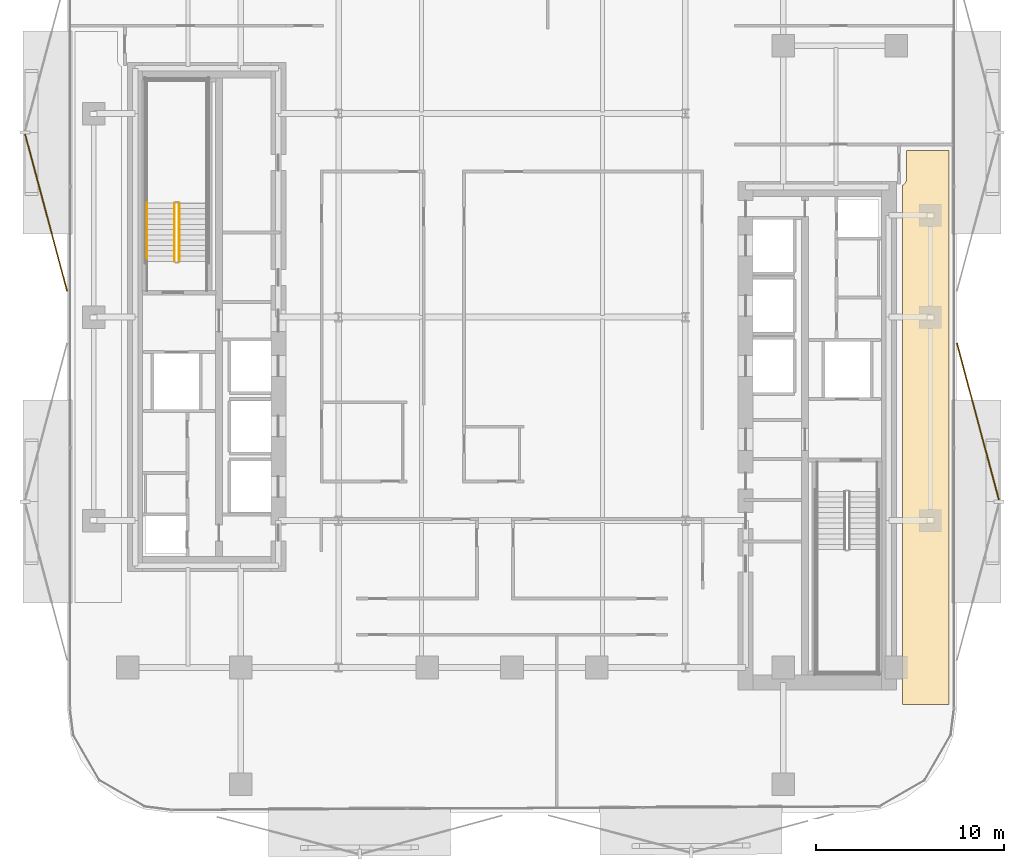
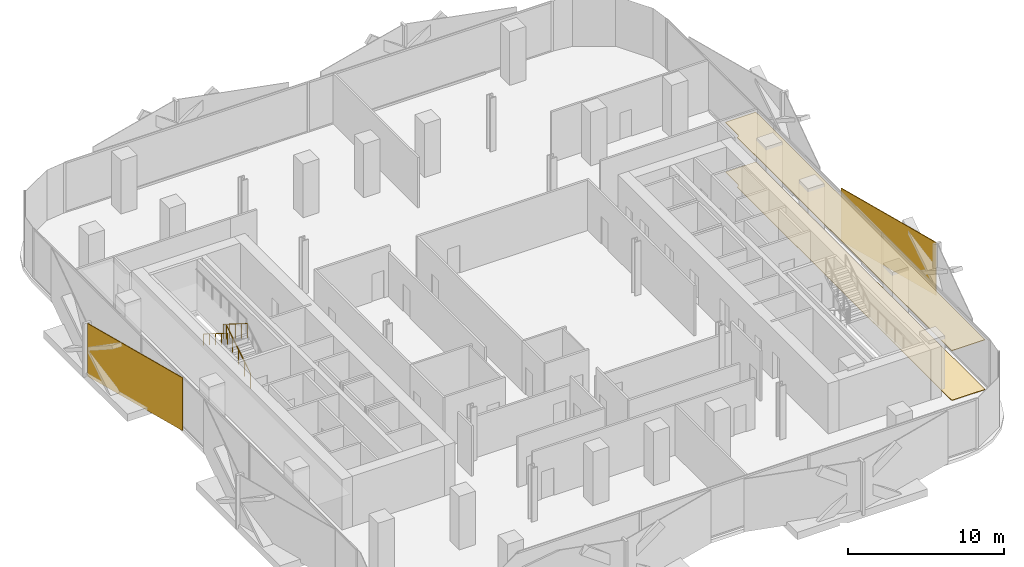
# One storey, part 14 of 16: 4 coverings, 3 railings.
"""IFC4 building model written with IfcOpenShell, lengths in metres."""

from ifc_helpers import new_model, si_unit, direction, frame, origin, origin_2d, place, context, subcontext, project, spatial, polyline, rectangle, circle, outline, extrude, material, layer, layer_set, type_object, element, save


model = new_model("IFC4")

# Units and contexts
model_context = context("Model", 3, precision=1e-05, world=origin(), true_north=direction((0.0, 1.0)))
body_context = subcontext(model_context, "Body", "Model", "MODEL_VIEW")
ifc_project = project(units=[si_unit("LENGTHUNIT", "METRE"), si_unit("AREAUNIT", "SQUARE_METRE"), si_unit("VOLUMEUNIT", "CUBIC_METRE"), si_unit("PLANEANGLEUNIT", "RADIAN"), si_unit("MASSUNIT", "GRAM", prefix="KILO")], contexts=[model_context])

# Site, building, storey
site_placement = place(None, origin())
site = spatial("IfcSite", under=ifc_project, at=site_placement, CompositionType="ELEMENT")
building_placement = place(site_placement, origin())
building = spatial("IfcBuilding", under=site, at=building_placement, Name="Khairoan Windgate Tower", CompositionType="ELEMENT")
storey_placement = place(building_placement, frame((0.0, 0.0, 97.39990234375)))
storey = spatial("IfcBuildingStorey", under=building, at=storey_placement, Name="L22", CompositionType="ELEMENT", Elevation=97.39990234375)

# Coverings
ifc_material_1 = material(Name="Engineered Teak Timber", Category="wood")
ifc_layer_1 = layer(ifc_material_1, 0.0400390625, Name="Engineered Teak Timber")
ifc_layer_set_1 = layer_set([ifc_layer_1], Name="Engineered Teak Timber")
covering_type_1 = type_object("IfcCoveringType", Name="Engineered Teak Residence Flooring", PredefinedType="FLOORING", material=ifc_layer_set_1)
covering_1_placement = place(storey_placement, origin())
element("IfcCovering", 1, at=covering_1_placement, inside=storey, type_object=covering_type_1, Name="L22 L22 East Flank Office Finish Flooring", PredefinedType="FLOORING", context=body_context, shape_type="SweptSolid", body=[
    extrude(outline(polyline([(20.72998046875, 6.996826171875), (20.736083984375, 6.99951171875), (20.7431640625, 7.002685546875), (20.768310546875, 7.01611328125), (20.77490234375, 7.020263671875), (20.79248046875, 7.031982421875), (20.798828125, 7.03662109375), (20.817626953125, 7.052001953125), (20.823486328125, 7.057373046875), (20.8427734375, 7.076416015625), (20.847900390625, 7.082275390625), (20.86328125, 7.101318359375), (20.867919921875, 7.107666015625), (20.879638671875, 7.125), (20.8837890625, 7.1318359375), (20.897216796875, 7.156982421875), (20.900634765625, 7.1640625), (20.90869140625, 7.18359375), (20.91162109375, 7.191162109375), (20.919189453125, 7.21630859375), (20.9208984375, 7.223876953125), (20.926025390625, 7.24951171875), (20.92724609375, 7.25732421875), (20.92919921875, 7.279296875), (20.9296875, 7.287109375), (20.929931640625, 7.300048828125), (20.929931640625, 8.85009765625), (23.18994140625, 8.85009765625), (23.18994140625, -20.550048828125), (20.72998046875, -20.550048828125), (20.72998046875, 6.996826171875)])), origin(), (0.0, 0.0, 1.0), 0.0400390625),
])
ifc_material_2 = material(Name="Acoustic Mineral Fibre Ceiling", Category="gypsum")
ifc_layer_2 = layer(ifc_material_2, 0.0400390625, Name="Acoustic Mineral Fibre Ceiling")
ifc_layer_set_2 = layer_set([ifc_layer_2], Name="Acoustic Mineral Fibre Ceiling")
covering_type_2 = type_object("IfcCoveringType", Name="Flush Acoustic Mineral Ceiling Panel", PredefinedType="CEILING", material=ifc_layer_set_2)
covering_2_placement = place(storey_placement, frame((0.0, 0.0, 3.900146484375)))
element("IfcCovering", 2, at=covering_2_placement, inside=storey, type_object=covering_type_2, Name="L22 L22 East Flank Office Acoustic Ceiling", PredefinedType="CEILING", context=body_context, shape_type="SweptSolid", body=[
    extrude(outline(polyline([(20.72998046875, 6.996826171875), (20.736083984375, 6.99951171875), (20.7431640625, 7.002685546875), (20.768310546875, 7.01611328125), (20.77490234375, 7.020263671875), (20.79248046875, 7.031982421875), (20.798828125, 7.03662109375), (20.817626953125, 7.052001953125), (20.823486328125, 7.057373046875), (20.8427734375, 7.076416015625), (20.847900390625, 7.082275390625), (20.86328125, 7.101318359375), (20.867919921875, 7.107666015625), (20.879638671875, 7.125), (20.8837890625, 7.1318359375), (20.897216796875, 7.156982421875), (20.900634765625, 7.1640625), (20.90869140625, 7.18359375), (20.91162109375, 7.191162109375), (20.919189453125, 7.21630859375), (20.9208984375, 7.223876953125), (20.926025390625, 7.24951171875), (20.92724609375, 7.25732421875), (20.92919921875, 7.279296875), (20.9296875, 7.287109375), (20.929931640625, 7.300048828125), (20.929931640625, 8.85009765625), (23.18994140625, 8.85009765625), (23.18994140625, -20.550048828125), (20.72998046875, -20.550048828125), (20.72998046875, 6.996826171875)])), origin(), (0.0, 0.0, 1.0), 0.0400390625),
])
ifc_material_3 = material(Name="Anodised Bronze Aluminium 6063-T6", Category="aluminium")
ifc_layer_3 = layer(ifc_material_3, 0.054931640625, Name="Anodised Bronze Aluminium 6063-T6")
ifc_layer_set_3 = layer_set([ifc_layer_3], Name="Anodised Bronze Aluminium 6063-T6")
covering_type_3 = type_object("IfcCoveringType", Name="Perforated Bronze-Ceramic Folded Solar Screen Cladding BSC-1", PredefinedType="CLADDING", material=ifc_layer_set_3)
for number, where, z_axis, x_axis, name in (
    (3, (-24.724609375, 5.542236328125, -0.099609375), (0.0, 0.0, 1.0), (-0.258819045103, 0.965925826289, 0.0), "L22 Folded Bronze Solar Screen Facet 124L"),
    (4, (24.724609375, -5.542236328125, -0.099609375), (0.0, 0.0, 1.0), (0.258819045103, -0.965925826289, 0.0), "L22 Folded Bronze Solar Screen Facet 128L"),
):
    element("IfcCovering", number, at=place(storey_placement, frame(where, z_axis=z_axis, x_axis=x_axis)), inside=storey, type_object=covering_type_3, Name=name, PredefinedType="CLADDING", context=body_context, shape_type="SweptSolid", body=[
        extrude(rectangle(XDim=8.6201171875, YDim=0.054931640625, at=origin_2d()), origin(), (0.0, 0.0, 1.0), 4.139892578125),
    ])

# Railings
ifc_material_4 = material(Name="Anodised Bronze Aluminium 6063-T6", Category="aluminium")
railing_type_1 = type_object("IfcRailingType", Name="Stair Wall Handrail SHR-900", PredefinedType="HANDRAIL", material=ifc_material_4)
railing_1_placement = place(storey_placement, frame((-19.3701171875, 6.0400390625, 2.275146484375)))
element("IfcRailing", 5, at=railing_1_placement, inside=storey, type_object=railing_type_1, Name="L22 ST2 stair handrail 2", PredefinedType="HANDRAIL", context=body_context, shape_type="SweptSolid", body=[
    extrude(circle(Radius=0.02392578125, at=origin_2d()), frame((0.0, 0.0, 0.8759765625), z_axis=(0.0, -0.847998304005, 0.529998940003), x_axis=(1.0, 0.0, 0.0)), (0.0, 0.0, 1.0), 3.632080078125),
    extrude(circle(Radius=0.02099609375, at=origin_2d()), origin(), (0.0, 0.0, 1.0), 0.851806640625),
    extrude(circle(Radius=0.02099609375, at=origin_2d()), frame((0.0, -0.77001953125, 0.481201171875)), (0.0, 0.0, 1.0), 0.851806640625),
    extrude(circle(Radius=0.02099609375, at=origin_2d()), frame((0.0, -1.5400390625, 0.96240234375)), (0.0, 0.0, 1.0), 0.851806640625),
    extrude(circle(Radius=0.02099609375, at=origin_2d()), frame((0.0, -2.31005859375, 1.44384765625)), (0.0, 0.0, 1.0), 0.851806640625),
    extrude(circle(Radius=0.02099609375, at=origin_2d()), frame((0.0, -3.080078125, 1.925048828125)), (0.0, 0.0, 1.0), 0.851806640625),
])
ifc_material_5 = material(Name="Steel S355", Category="steel")
railing_type_2 = type_object("IfcRailingType", Name="Stairwell Safety Guardrail SGR-1150", PredefinedType="GUARDRAIL", material=ifc_material_5)
railing_2_placement = place(storey_placement, frame((-17.659912109375, 2.9599609375, 0.175048828125)))
element("IfcRailing", 6, at=railing_2_placement, inside=storey, type_object=railing_type_2, Name="L22 ST2 stair guard 1", PredefinedType="GUARDRAIL", context=body_context, shape_type="SweptSolid", body=[
    extrude(circle(Radius=0.02392578125, at=origin_2d()), frame((0.0, 0.0, 1.1259765625), z_axis=(0.0, 0.847998304005, 0.529998940003), x_axis=(-1.0, 0.0, 0.0)), (0.0, 0.0, 1.0), 3.632080078125),
    extrude(circle(Radius=0.02099609375, at=origin_2d()), origin(), (0.0, 0.0, 1.0), 1.101806640625),
    extrude(circle(Radius=0.02099609375, at=origin_2d()), frame((0.0, 0.77001953125, 0.481201171875)), (0.0, 0.0, 1.0), 1.101806640625),
    extrude(circle(Radius=0.02099609375, at=origin_2d()), frame((0.0, 1.5400390625, 0.96240234375)), (0.0, 0.0, 1.0), 1.101806640625),
    extrude(circle(Radius=0.02099609375, at=origin_2d()), frame((0.0, 2.31005859375, 1.44384765625)), (0.0, 0.0, 1.0), 1.101806640625),
    extrude(circle(Radius=0.02099609375, at=origin_2d()), frame((0.0, 3.080078125, 1.925048828125)), (0.0, 0.0, 1.0), 1.101806640625),
])
railing_3_placement = place(storey_placement, frame((-17.909912109375, 6.0400390625, 2.275146484375)))
element("IfcRailing", 7, at=railing_3_placement, inside=storey, type_object=railing_type_2, Name="L22 ST2 stair guard 6", PredefinedType="GUARDRAIL", context=body_context, shape_type="SweptSolid", body=[
    extrude(circle(Radius=0.02392578125, at=origin_2d()), frame((0.0, 0.0, 1.1259765625), z_axis=(0.0, -0.847998304005, 0.529998940003), x_axis=(1.0, 0.0, 0.0)), (0.0, 0.0, 1.0), 3.632080078125),
    extrude(circle(Radius=0.02099609375, at=origin_2d()), origin(), (0.0, 0.0, 1.0), 1.101806640625),
    extrude(circle(Radius=0.02099609375, at=origin_2d()), frame((0.0, -0.77001953125, 0.481201171875)), (0.0, 0.0, 1.0), 1.101806640625),
    extrude(circle(Radius=0.02099609375, at=origin_2d()), frame((0.0, -1.5400390625, 0.96240234375)), (0.0, 0.0, 1.0), 1.101806640625),
    extrude(circle(Radius=0.02099609375, at=origin_2d()), frame((0.0, -2.31005859375, 1.44384765625)), (0.0, 0.0, 1.0), 1.101806640625),
    extrude(circle(Radius=0.02099609375, at=origin_2d()), frame((0.0, -3.080078125, 1.925048828125)), (0.0, 0.0, 1.0), 1.101806640625),
])

save(model, "model.ifc")
